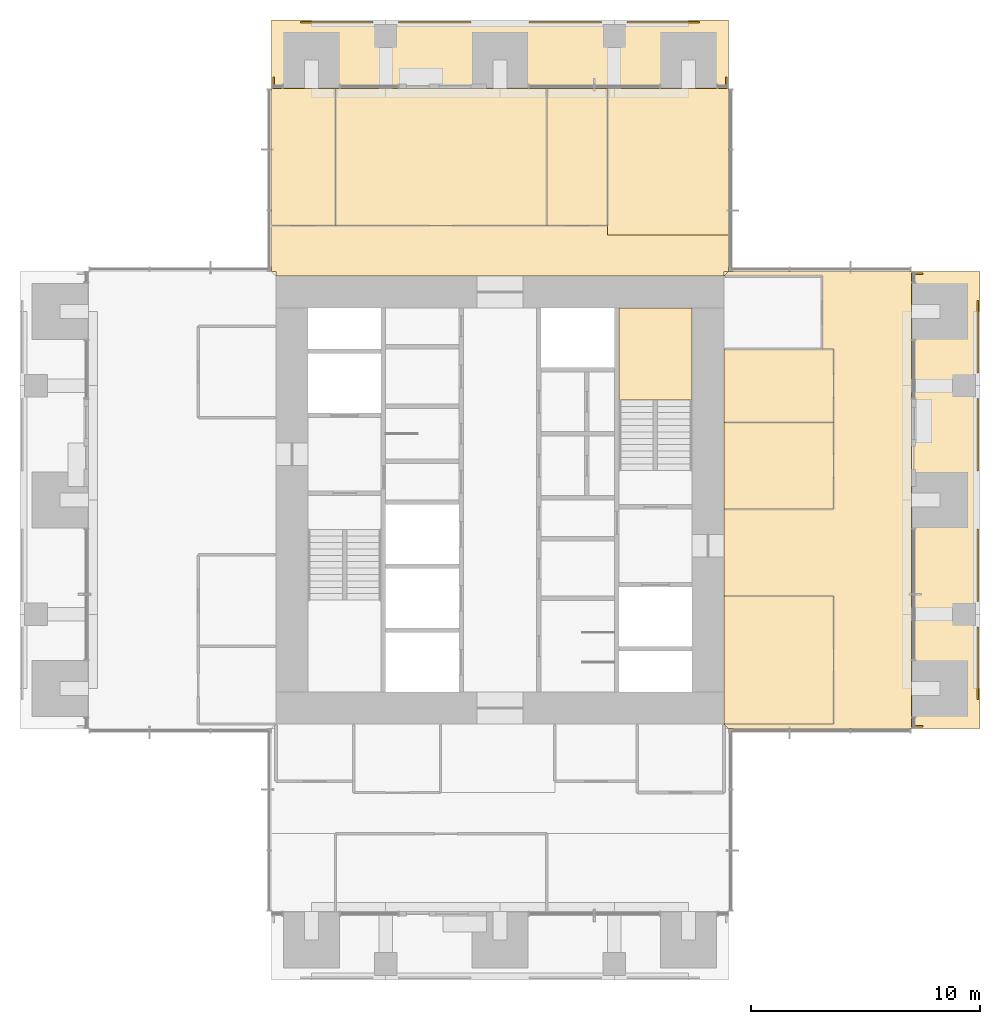
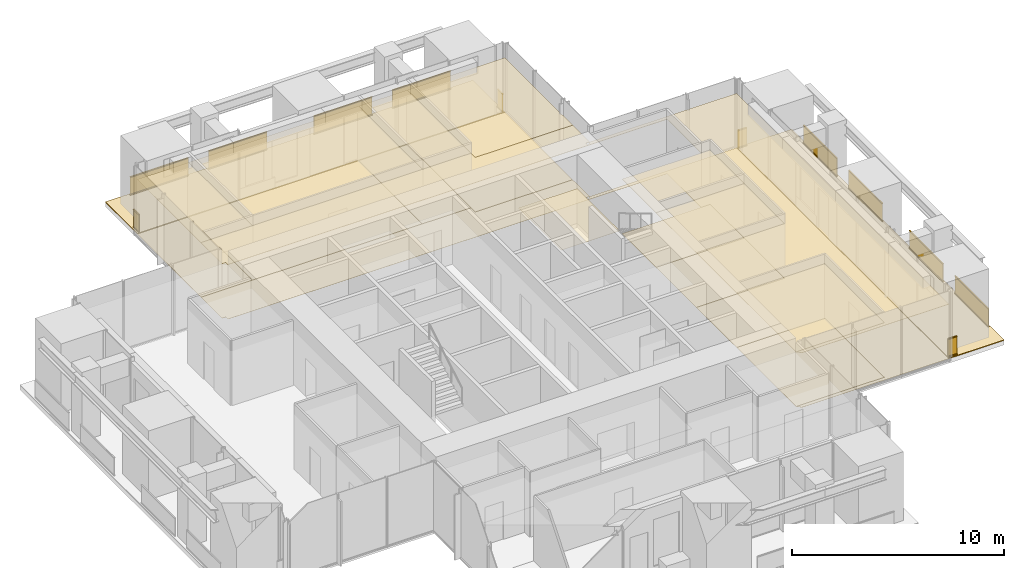
# One storey, part 16 of 17: 21 coverings, 12 railings.
"""IFC4 building model written with IfcOpenShell, lengths in metres."""

from ifc_helpers import new_model, si_unit, direction, frame, origin, origin_2d, place, context, subcontext, project, spatial, polyline, rectangle, outline, extrude, material, layer, layer_set, type_object, element, save


model = new_model("IFC4")

# Units and contexts
model_context = context("Model", 3, precision=1e-05, world=origin(), true_north=direction((0.0, 1.0)))
body_context = subcontext(model_context, "Body", "Model", "MODEL_VIEW")
ifc_project = project(units=[si_unit("LENGTHUNIT", "METRE"), si_unit("AREAUNIT", "SQUARE_METRE"), si_unit("VOLUMEUNIT", "CUBIC_METRE"), si_unit("PLANEANGLEUNIT", "RADIAN"), si_unit("MASSUNIT", "GRAM", prefix="KILO")], contexts=[model_context])

# Site, building, storey
site_placement = place(None, origin())
site = spatial("IfcSite", under=ifc_project, at=site_placement, CompositionType="ELEMENT")
building_placement = place(site_placement, origin())
building = spatial("IfcBuilding", under=site, at=building_placement, Name="Svetlomir Tower", CompositionType="ELEMENT")
storey_placement = place(building_placement, frame((0.0, 0.0, 190.5)))
storey = spatial("IfcBuildingStorey", under=building, at=storey_placement, Name="L45", CompositionType="ELEMENT", Elevation=190.5)

# Railings
ifc_material_1 = material(Name="Bronze anodised aluminium and laminated glass", Category="aluminium")
railing_type = type_object("IfcRailingType", Name="BALCONY GUARD GR1 1100", PredefinedType="GUARDRAIL", material=ifc_material_1)
for number, where, name in (
    (1, (41.89990234375, 12.27490234375, 0.0), "Loggia guard E L45 bay 1"),
    (2, (41.89990234375, 16.550048828125, 0.0), "Loggia guard E L45 bay 2"),
    (3, (41.89990234375, 22.27490234375, 0.0), "Loggia guard E L45 bay 3"),
    (4, (41.89990234375, 26.550048828125, 0.0), "Loggia guard E L45 bay 4"),
):
    element("IfcRailing", number, at=place(storey_placement, frame(where)), inside=storey, type_object=railing_type, Name=name, PredefinedType="GUARDRAIL", context=body_context, shape_type="SweptSolid", body=[
        extrude(rectangle(XDim=0.06005859375, YDim=0.10009765625, at=origin_2d()), frame((0.0, 0.0, 0.050048828125), z_axis=(0.0, 1.0, 0.0), x_axis=(-1.0, 0.0, 0.0)), (0.0, 0.0, 1.0), 3.175048828125),
        extrude(rectangle(XDim=0.021484375, YDim=0.960205078125, at=origin_2d()), frame((0.0, 0.0, 0.580078125), z_axis=(0.0, 1.0, 0.0), x_axis=(-1.0, 0.0, 0.0)), (0.0, 0.0, 1.0), 3.175048828125),
        extrude(rectangle(XDim=0.06005859375, YDim=0.0400390625, at=origin_2d()), frame((0.0, 0.0, 1.080078125), z_axis=(0.0, 1.0, 0.0), x_axis=(-1.0, 0.0, 0.0)), (0.0, 0.0, 1.0), 3.175048828125),
    ])
for number, where, name in (
    (5, (39.5, 11.10009765625, 0.0), "Loggia guard E L45 end 1"),
    (6, (39.5, 30.89990234375, 0.0), "Loggia guard E L45 end 2"),
):
    element("IfcRailing", number, at=place(storey_placement, frame(where)), inside=storey, type_object=railing_type, Name=name, PredefinedType="GUARDRAIL", context=body_context, shape_type="SweptSolid", body=[
        extrude(rectangle(XDim=0.06005859375, YDim=0.10009765625, at=origin_2d()), frame((0.0, 0.0, 0.050048828125), z_axis=(-1.0, 0.0, 0.0), x_axis=(0.0, -1.0, 0.0)), (0.0, 0.0, 1.0), 0.5),
        extrude(rectangle(XDim=0.021484375, YDim=0.960205078125, at=origin_2d()), frame((0.0, 0.0, 0.580078125), z_axis=(-1.0, 0.0, 0.0), x_axis=(0.0, -1.0, 0.0)), (0.0, 0.0, 1.0), 0.5),
        extrude(rectangle(XDim=0.06005859375, YDim=0.0400390625, at=origin_2d()), frame((0.0, 0.0, 1.080078125), z_axis=(-1.0, 0.0, 0.0), x_axis=(0.0, -1.0, 0.0)), (0.0, 0.0, 1.0), 0.5),
    ])
for number, where, name in (
    (7, (12.27490234375, 41.89990234375, 0.0), "Loggia guard N L45 bay 1"),
    (8, (16.550048828125, 41.89990234375, 0.0), "Loggia guard N L45 bay 2"),
    (9, (22.27490234375, 41.89990234375, 0.0), "Loggia guard N L45 bay 3"),
    (10, (26.550048828125, 41.89990234375, 0.0), "Loggia guard N L45 bay 4"),
):
    element("IfcRailing", number, at=place(storey_placement, frame(where)), inside=storey, type_object=railing_type, Name=name, PredefinedType="GUARDRAIL", context=body_context, shape_type="SweptSolid", body=[
        extrude(rectangle(XDim=0.06005859375, YDim=0.10009765625, at=origin_2d()), frame((0.0, 0.0, 0.050048828125), z_axis=(1.0, 0.0, 0.0), x_axis=(0.0, 1.0, 0.0)), (0.0, 0.0, 1.0), 3.175048828125),
        extrude(rectangle(XDim=0.021484375, YDim=0.960205078125, at=origin_2d()), frame((0.0, 0.0, 0.580078125), z_axis=(1.0, 0.0, 0.0), x_axis=(0.0, 1.0, 0.0)), (0.0, 0.0, 1.0), 3.175048828125),
        extrude(rectangle(XDim=0.06005859375, YDim=0.0400390625, at=origin_2d()), frame((0.0, 0.0, 1.080078125), z_axis=(1.0, 0.0, 0.0), x_axis=(0.0, 1.0, 0.0)), (0.0, 0.0, 1.0), 3.175048828125),
    ])
for number, where, name in (
    (11, (11.10009765625, 39.5, 0.0), "Loggia guard N L45 end 1"),
    (12, (30.89990234375, 39.5, 0.0), "Loggia guard N L45 end 2"),
):
    element("IfcRailing", number, at=place(storey_placement, frame(where)), inside=storey, type_object=railing_type, Name=name, PredefinedType="GUARDRAIL", context=body_context, shape_type="SweptSolid", body=[
        extrude(rectangle(XDim=0.06005859375, YDim=0.10009765625, at=origin_2d()), frame((0.0, 0.0, 0.050048828125), z_axis=(0.0, -1.0, 0.0), x_axis=(1.0, 0.0, 0.0)), (0.0, 0.0, 1.0), 0.5),
        extrude(rectangle(XDim=0.021484375, YDim=0.960205078125, at=origin_2d()), frame((0.0, 0.0, 0.580078125), z_axis=(0.0, -1.0, 0.0), x_axis=(1.0, 0.0, 0.0)), (0.0, 0.0, 1.0), 0.5),
        extrude(rectangle(XDim=0.06005859375, YDim=0.0400390625, at=origin_2d()), frame((0.0, 0.0, 1.080078125), z_axis=(0.0, -1.0, 0.0), x_axis=(1.0, 0.0, 0.0)), (0.0, 0.0, 1.0), 0.5),
    ])

# Coverings
ifc_material_2 = material(Name="Granite paving slabs on pedestals", Category="masonry")
ifc_layer_1 = layer(ifc_material_2, 0.0400390625)
ifc_layer_set_1 = layer_set([ifc_layer_1], Name="Granite paving slabs on pedestals")
covering_type_1 = type_object("IfcCoveringType", Name="BALCONY PAVING 40", PredefinedType="USERDEFINED", material=ifc_layer_set_1)
covering_1_placement = place(storey_placement, origin())
element("IfcCovering", 13, at=covering_1_placement, inside=storey, type_object=covering_type_1, Name="Loggia paving E L45", ObjectType="BALCONY PAVING", PredefinedType="USERDEFINED", context=body_context, shape_type="SweptSolid", body=[
    extrude(outline(polyline([(39.0, 11.0), (42.0, 11.0), (42.0, 31.0), (39.0, 31.0), (39.0, 11.0)])), origin(), (0.0, 0.0, 1.0), 0.0400390625),
])
covering_2_placement = place(storey_placement, origin())
element("IfcCovering", 14, at=covering_2_placement, inside=storey, type_object=covering_type_1, Name="Loggia paving N L45", ObjectType="BALCONY PAVING", PredefinedType="USERDEFINED", context=body_context, shape_type="SweptSolid", body=[
    extrude(outline(polyline([(11.0, 39.0), (31.0, 39.0), (31.0, 42.0), (11.0, 42.0), (11.0, 39.0)])), origin(), (0.0, 0.0, 1.0), 0.0400390625),
])
ifc_material_3 = material(Name="Carpet tile", Category="textile")
ifc_layer_2 = layer(ifc_material_3, 0.010009765625)
ifc_layer_set_2 = layer_set([ifc_layer_2], Name="Carpet tile")
covering_type_2 = type_object("IfcCoveringType", Name="CARPET TILE FLOOR 10", PredefinedType="FLOORING", material=ifc_layer_set_2)
covering_3_placement = place(storey_placement, origin())
element("IfcCovering", 15, at=covering_3_placement, inside=storey, type_object=covering_type_2, Name="Floor finish L45-22", PredefinedType="FLOORING", context=body_context, shape_type="SweptSolid", body=[
    extrude(outline(polyline([(30.800048828125, 11.199951171875), (35.60009765625, 11.199951171875), (35.60009765625, 16.800048828125), (30.800048828125, 16.800048828125), (30.800048828125, 11.199951171875)])), origin(), (0.0, 0.0, 1.0), 0.010009765625),
])
covering_4_placement = place(storey_placement, origin())
element("IfcCovering", 16, at=covering_4_placement, inside=storey, type_object=covering_type_2, Name="Floor finish L45-23", PredefinedType="FLOORING", context=body_context, shape_type="SweptSolid", body=[
    extrude(outline(polyline([(30.800048828125, 20.60009765625), (35.60009765625, 20.60009765625), (35.60009765625, 24.39990234375), (30.800048828125, 24.39990234375), (30.800048828125, 20.60009765625)])), origin(), (0.0, 0.0, 1.0), 0.010009765625),
])
covering_5_placement = place(storey_placement, origin())
element("IfcCovering", 17, at=covering_5_placement, inside=storey, type_object=covering_type_2, Name="Floor finish L45-24", PredefinedType="FLOORING", context=body_context, shape_type="SweptSolid", body=[
    extrude(outline(polyline([(30.800048828125, 24.39990234375), (35.60009765625, 24.39990234375), (35.60009765625, 27.60009765625), (30.800048828125, 27.60009765625), (30.800048828125, 24.39990234375)])), origin(), (0.0, 0.0, 1.0), 0.010009765625),
])
covering_6_placement = place(storey_placement, origin())
element("IfcCovering", 18, at=covering_6_placement, inside=storey, type_object=covering_type_2, Name="Floor finish L45-26", PredefinedType="FLOORING", context=body_context, shape_type="SweptSolid", body=[
    extrude(outline(polyline([(11.0, 33.0), (13.800048828125, 33.0), (13.800048828125, 39.0), (11.0, 39.0), (11.0, 33.0)])), origin(), (0.0, 0.0, 1.0), 0.010009765625),
])
covering_7_placement = place(storey_placement, origin())
element("IfcCovering", 19, at=covering_7_placement, inside=storey, type_object=covering_type_2, Name="Floor finish L45-27", PredefinedType="FLOORING", context=body_context, shape_type="SweptSolid", body=[
    extrude(outline(polyline([(13.800048828125, 33.0), (23.050048828125, 33.0), (23.050048828125, 39.0), (13.800048828125, 39.0), (13.800048828125, 33.0)])), origin(), (0.0, 0.0, 1.0), 0.010009765625),
])
covering_8_placement = place(storey_placement, origin())
element("IfcCovering", 20, at=covering_8_placement, inside=storey, type_object=covering_type_2, Name="Floor finish L45-28", PredefinedType="FLOORING", context=body_context, shape_type="SweptSolid", body=[
    extrude(outline(polyline([(23.050048828125, 33.0), (25.699951171875, 33.0), (25.699951171875, 39.0), (23.050048828125, 39.0), (23.050048828125, 33.0)])), origin(), (0.0, 0.0, 1.0), 0.010009765625),
])
covering_9_placement = place(storey_placement, origin())
element("IfcCovering", 21, at=covering_9_placement, inside=storey, type_object=covering_type_2, Name="Floor finish L45-33", PredefinedType="FLOORING", context=body_context, shape_type="SweptSolid", body=[
    extrude(outline(polyline([(11.199951171875, 30.800048828125), (11.199951171875, 31.0), (11.0, 31.0), (11.0, 33.0), (25.699951171875, 33.0), (25.699951171875, 32.60009765625), (31.0, 32.60009765625), (31.0, 31.0), (30.800048828125, 31.0), (30.800048828125, 30.800048828125), (11.199951171875, 30.800048828125)])), origin(), (0.0, 0.0, 1.0), 0.010009765625),
])
covering_10_placement = place(storey_placement, origin())
element("IfcCovering", 22, at=covering_10_placement, inside=storey, type_object=covering_type_2, Name="Floor finish L45-37", PredefinedType="FLOORING", context=body_context, shape_type="SweptSolid", body=[
    extrude(outline(polyline([(30.800048828125, 30.800048828125), (31.0, 31.0), (39.0, 31.0), (39.0, 11.0), (31.0, 11.0), (30.800048828125, 11.199951171875), (35.60009765625, 11.199951171875), (35.60009765625, 16.800048828125), (30.800048828125, 16.800048828125), (30.800048828125, 20.60009765625), (35.60009765625, 20.60009765625), (35.60009765625, 27.60009765625), (35.10009765625, 27.60009765625), (35.10009765625, 30.800048828125), (30.800048828125, 30.800048828125)])), origin(), (0.0, 0.0, 1.0), 0.010009765625),
])
covering_11_placement = place(storey_placement, origin())
element("IfcCovering", 23, at=covering_11_placement, inside=storey, type_object=covering_type_2, Name="Floor finish L45-38", PredefinedType="FLOORING", context=body_context, shape_type="SweptSolid", body=[
    extrude(outline(polyline([(31.0, 39.0), (31.0, 32.60009765625), (25.699951171875, 32.60009765625), (25.699951171875, 39.0), (31.0, 39.0)])), origin(), (0.0, 0.0, 1.0), 0.010009765625),
])
ifc_material_4 = material(Name="Studded rubber floor finish", Category="rubber")
ifc_layer_3 = layer(ifc_material_4, 0.006103515625)
ifc_layer_set_3 = layer_set([ifc_layer_3], Name="Studded rubber floor finish")
covering_type_3 = type_object("IfcCoveringType", Name="RUBBER LANDING FINISH 6", PredefinedType="FLOORING", material=ifc_layer_set_3)
covering_12_placement = place(storey_placement, frame((0.0, 0.0, 2.0)))
element("IfcCovering", 24, at=covering_12_placement, inside=storey, type_object=covering_type_3, Name="Stair S2 landing finish L45", PredefinedType="FLOORING", context=body_context, shape_type="SweptSolid", body=[
    extrude(outline(polyline([(26.199951171875, 25.3798828125), (29.39990234375, 25.3798828125), (29.39990234375, 29.39990234375), (26.199951171875, 29.39990234375), (26.199951171875, 25.3798828125)])), origin(), (0.0, 0.0, 1.0), 0.006103515625),
])
ifc_material_5 = material(Name="Mineral fibre ceiling tile", Category="mineral")
ifc_layer_4 = layer(ifc_material_5, 0.02001953125)
ifc_layer_set_4 = layer_set([ifc_layer_4], Name="Mineral fibre ceiling tile")
covering_type_4 = type_object("IfcCoveringType", Name="SUSPENDED CEILING 20", PredefinedType="CEILING", material=ifc_layer_set_4)
covering_13_placement = place(storey_placement, frame((0.0, 0.0, 3.1298828125)))
element("IfcCovering", 25, at=covering_13_placement, inside=storey, type_object=covering_type_4, Name="Ceiling L45-22", PredefinedType="CEILING", context=body_context, shape_type="SweptSolid", body=[
    extrude(outline(polyline([(30.800048828125, 11.199951171875), (35.60009765625, 11.199951171875), (35.60009765625, 16.800048828125), (30.800048828125, 16.800048828125), (30.800048828125, 11.199951171875)])), origin(), (0.0, 0.0, 1.0), 0.02001953125),
])
covering_14_placement = place(storey_placement, frame((0.0, 0.0, 3.1298828125)))
element("IfcCovering", 26, at=covering_14_placement, inside=storey, type_object=covering_type_4, Name="Ceiling L45-23", PredefinedType="CEILING", context=body_context, shape_type="SweptSolid", body=[
    extrude(outline(polyline([(30.800048828125, 20.60009765625), (35.60009765625, 20.60009765625), (35.60009765625, 24.39990234375), (30.800048828125, 24.39990234375), (30.800048828125, 20.60009765625)])), origin(), (0.0, 0.0, 1.0), 0.02001953125),
])
covering_15_placement = place(storey_placement, frame((0.0, 0.0, 3.1298828125)))
element("IfcCovering", 27, at=covering_15_placement, inside=storey, type_object=covering_type_4, Name="Ceiling L45-24", PredefinedType="CEILING", context=body_context, shape_type="SweptSolid", body=[
    extrude(outline(polyline([(30.800048828125, 24.39990234375), (35.60009765625, 24.39990234375), (35.60009765625, 27.60009765625), (30.800048828125, 27.60009765625), (30.800048828125, 24.39990234375)])), origin(), (0.0, 0.0, 1.0), 0.02001953125),
])
covering_16_placement = place(storey_placement, frame((0.0, 0.0, 3.1298828125)))
element("IfcCovering", 28, at=covering_16_placement, inside=storey, type_object=covering_type_4, Name="Ceiling L45-26", PredefinedType="CEILING", context=body_context, shape_type="SweptSolid", body=[
    extrude(outline(polyline([(11.0, 33.0), (13.800048828125, 33.0), (13.800048828125, 39.0), (11.0, 39.0), (11.0, 33.0)])), origin(), (0.0, 0.0, 1.0), 0.02001953125),
])
covering_17_placement = place(storey_placement, frame((0.0, 0.0, 3.1298828125)))
element("IfcCovering", 29, at=covering_17_placement, inside=storey, type_object=covering_type_4, Name="Ceiling L45-27", PredefinedType="CEILING", context=body_context, shape_type="SweptSolid", body=[
    extrude(outline(polyline([(13.800048828125, 33.0), (23.050048828125, 33.0), (23.050048828125, 39.0), (13.800048828125, 39.0), (13.800048828125, 33.0)])), origin(), (0.0, 0.0, 1.0), 0.02001953125),
])
covering_18_placement = place(storey_placement, frame((0.0, 0.0, 3.1298828125)))
element("IfcCovering", 30, at=covering_18_placement, inside=storey, type_object=covering_type_4, Name="Ceiling L45-28", PredefinedType="CEILING", context=body_context, shape_type="SweptSolid", body=[
    extrude(outline(polyline([(23.050048828125, 33.0), (25.699951171875, 33.0), (25.699951171875, 39.0), (23.050048828125, 39.0), (23.050048828125, 33.0)])), origin(), (0.0, 0.0, 1.0), 0.02001953125),
])
covering_19_placement = place(storey_placement, frame((0.0, 0.0, 3.1298828125)))
element("IfcCovering", 31, at=covering_19_placement, inside=storey, type_object=covering_type_4, Name="Ceiling L45-33", PredefinedType="CEILING", context=body_context, shape_type="SweptSolid", body=[
    extrude(outline(polyline([(11.199951171875, 30.800048828125), (11.199951171875, 31.0), (11.0, 31.0), (11.0, 33.0), (25.699951171875, 33.0), (25.699951171875, 32.60009765625), (31.0, 32.60009765625), (31.0, 31.0), (30.800048828125, 31.0), (30.800048828125, 30.800048828125), (11.199951171875, 30.800048828125)])), origin(), (0.0, 0.0, 1.0), 0.02001953125),
])
covering_20_placement = place(storey_placement, frame((0.0, 0.0, 3.1298828125)))
element("IfcCovering", 32, at=covering_20_placement, inside=storey, type_object=covering_type_4, Name="Ceiling L45-37", PredefinedType="CEILING", context=body_context, shape_type="SweptSolid", body=[
    extrude(outline(polyline([(30.800048828125, 30.800048828125), (31.0, 31.0), (39.0, 31.0), (39.0, 11.0), (31.0, 11.0), (30.800048828125, 11.199951171875), (35.60009765625, 11.199951171875), (35.60009765625, 16.800048828125), (30.800048828125, 16.800048828125), (30.800048828125, 20.60009765625), (35.60009765625, 20.60009765625), (35.60009765625, 27.60009765625), (35.10009765625, 27.60009765625), (35.10009765625, 30.800048828125), (30.800048828125, 30.800048828125)])), origin(), (0.0, 0.0, 1.0), 0.02001953125),
])
covering_21_placement = place(storey_placement, frame((0.0, 0.0, 3.1298828125)))
element("IfcCovering", 33, at=covering_21_placement, inside=storey, type_object=covering_type_4, Name="Ceiling L45-38", PredefinedType="CEILING", context=body_context, shape_type="SweptSolid", body=[
    extrude(outline(polyline([(31.0, 39.0), (31.0, 32.60009765625), (25.699951171875, 32.60009765625), (25.699951171875, 39.0), (31.0, 39.0)])), origin(), (0.0, 0.0, 1.0), 0.02001953125),
])

save(model, "model.ifc")
